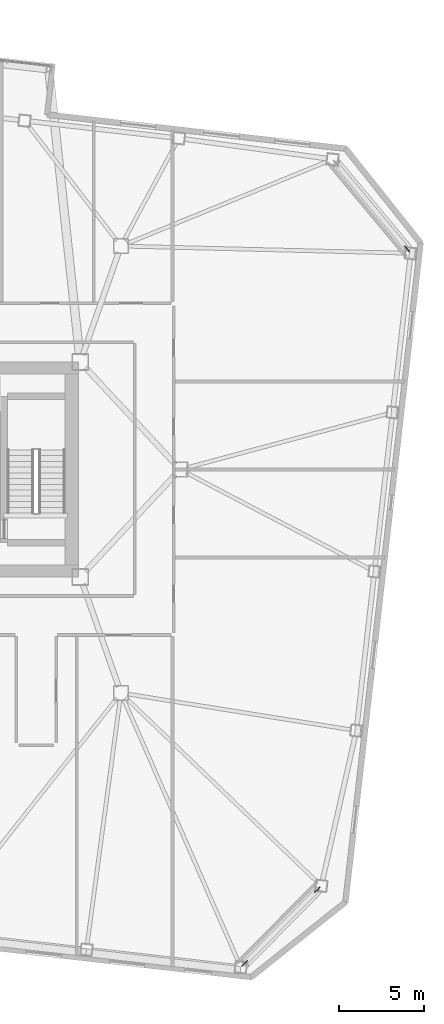
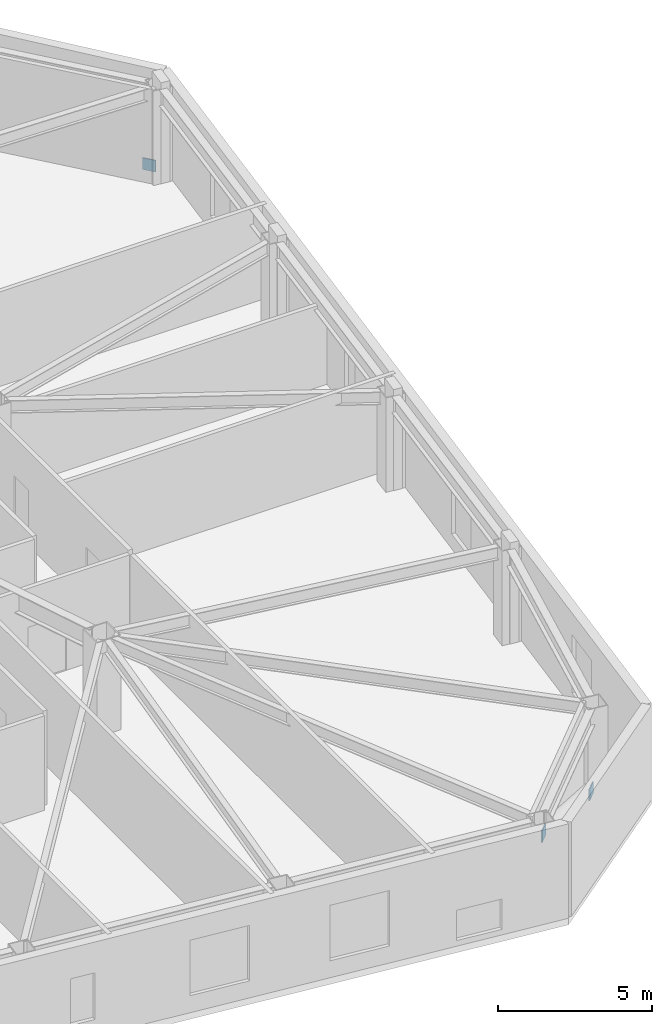
# One storey, part 21 of 23: 3 discrete accessories.
"""IFC4 building model written with IfcOpenShell, lengths in metres."""

from ifc_helpers import new_model, si_unit, direction, frame, origin, origin_2d, place, context, subcontext, project, spatial, rectangle, extrude, material, type_object, element, save


model = new_model("IFC4")

# Units and contexts
model_context = context("Model", 3, precision=1e-05, world=origin(), true_north=direction((0.0, 1.0)))
body_context = subcontext(model_context, "Body", "Model", "MODEL_VIEW")
ifc_project = project(units=[si_unit("LENGTHUNIT", "METRE"), si_unit("AREAUNIT", "SQUARE_METRE"), si_unit("VOLUMEUNIT", "CUBIC_METRE"), si_unit("PLANEANGLEUNIT", "RADIAN"), si_unit("MASSUNIT", "GRAM", prefix="KILO")], contexts=[model_context])

# Site, building, storey
site_placement = place(None, origin())
site = spatial("IfcSite", under=ifc_project, at=site_placement, CompositionType="ELEMENT")
building_placement = place(site_placement, origin())
building = spatial("IfcBuilding", under=site, at=building_placement, Name="Tavrogorsk Clinical Tower", CompositionType="ELEMENT")
storey_placement = place(building_placement, frame((0.0, 0.0, 113.39990234375)))
storey = spatial("IfcBuildingStorey", under=building, at=storey_placement, Name="L25", CompositionType="ELEMENT", Elevation=113.39990234375)

# Discrete accessories
ifc_material = material(Name="Structural steel S440", Category="steel")
discrete_accessory_type = type_object("IfcDiscreteAccessoryType", Name="GussetPlateBracket_25", PredefinedType="BRACKET", material=ifc_material)
for number, where, z_axis, x_axis, name in (
    (1, (36.1025390625, -24.82763671875, 0.20458984375), (0.0, 0.0, 1.0), (-0.702898299792, -0.711290362756, 0.0), "L25 Brace Gusset Plate EXOCRN-L25-1-A"),
    (2, (31.81640625, -29.1650390625, 2.67578125), (0.0, 0.0, 1.0), (-0.702898299792, -0.711290362756, 0.0), "L25 Brace Gusset Plate EXOCRN-L25-1-B"),
    (3, (41.40771484375, 13.03076171875, 0.197021484375), (0.0, 0.0, 1.0), (-0.640243780506, 0.768171791674, 0.0), "L25 Brace Gusset Plate EXOCRN-L25-2-A"),
):
    element("IfcDiscreteAccessory", number, at=place(storey_placement, frame(where, z_axis=z_axis, x_axis=x_axis)), inside=storey, type_object=discrete_accessory_type, Name=name, PredefinedType="BRACKET", context=body_context, shape_type="SweptSolid", body=[
        extrude(rectangle(XDim=0.4599609375, YDim=0.0400390625, at=origin_2d()), origin(), (0.0, 0.0, 1.0), 0.4599609375),
    ])

save(model, "model.ifc")
